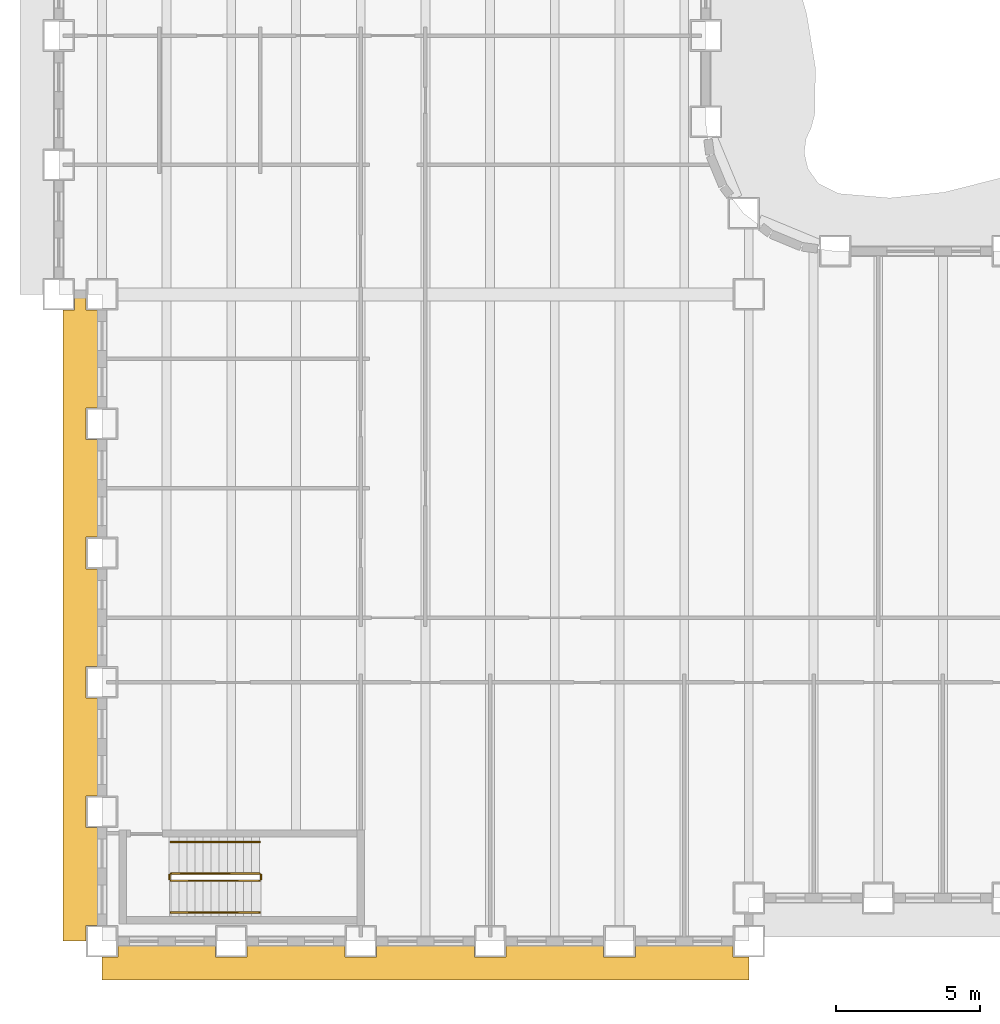
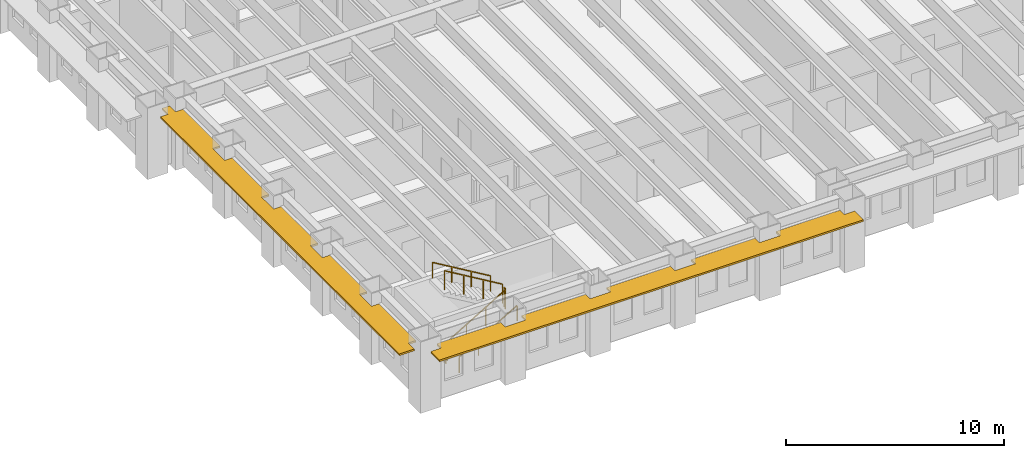
# One storey, part 10 of 15: 6 railings, 2 shading devices.
"""IFC4 building model written with IfcOpenShell, lengths in metres."""

from ifc_helpers import new_model, si_unit, direction, frame, origin, origin_2d, place, context, subcontext, project, spatial, polyline, rectangle, outline, extrude, material, layer, layer_set, type_object, element, save


model = new_model("IFC4")

# Units and contexts
model_context = context("Model", 3, precision=1e-05, world=origin(), true_north=direction((0.0, 1.0)))
body_context = subcontext(model_context, "Body", "Model", "MODEL_VIEW")
ifc_project = project(units=[si_unit("LENGTHUNIT", "METRE"), si_unit("AREAUNIT", "SQUARE_METRE"), si_unit("VOLUMEUNIT", "CUBIC_METRE"), si_unit("PLANEANGLEUNIT", "RADIAN"), si_unit("MASSUNIT", "GRAM", prefix="KILO")], contexts=[model_context])

# Site, building, storey
site_placement = place(None, origin())
site = spatial("IfcSite", under=ifc_project, at=site_placement, CompositionType="ELEMENT")
building_placement = place(site_placement, origin())
building = spatial("IfcBuilding", under=site, at=building_placement, Name="Sennacour Bend Tower", CompositionType="ELEMENT")
storey_placement = place(building_placement, frame((0.0, 0.0, 37.0)))
storey = spatial("IfcBuildingStorey", under=building, at=storey_placement, Name="L07", CompositionType="ELEMENT", Elevation=37.0)

# Railings
ifc_material_1 = material(Name="Stainless steel", Category="steel")
railing_type_1 = type_object("IfcRailingType", Name="RL-GUARD-1100", PredefinedType="GUARDRAIL", material=ifc_material_1)
railing_1_placement = place(storey_placement, frame((2.39990234375, 2.10009765625, 0.166748046875)))
element("IfcRailing", 1, at=railing_1_placement, inside=storey, type_object=railing_type_1, Name="L07 SK1 stair guard 1", PredefinedType="GUARDRAIL", context=body_context, shape_type="SweptSolid", body=[
    extrude(rectangle(XDim=0.048095703125, YDim=0.048095703125, at=origin_2d()), frame((0.0, 0.0, 1.076171875), z_axis=(0.859308565015, 0.0, 0.511457515432), x_axis=(0.0, 1.0, 0.0)), (0.0, 0.0, 1.0), 3.58447265625),
    extrude(rectangle(XDim=0.0419921875, YDim=0.0419921875, at=origin_2d()), origin(), (0.0, 0.0, 1.0), 1.052001953125),
    extrude(rectangle(XDim=0.0419921875, YDim=0.0419921875, at=origin_2d()), frame((1.026611328125, 0.0, 0.611083984375)), (0.0, 0.0, 1.0), 1.052001953125),
    extrude(rectangle(XDim=0.0419921875, YDim=0.0419921875, at=origin_2d()), frame((2.053466796875, 0.0, 1.22216796875)), (0.0, 0.0, 1.0), 1.052001953125),
    extrude(rectangle(XDim=0.0419921875, YDim=0.0419921875, at=origin_2d()), frame((3.080078125, 0.0, 1.833251953125)), (0.0, 0.0, 1.0), 1.052001953125),
])
railing_2_placement = place(storey_placement, frame((5.530029296875, 2.14990234375, 2.0)))
element("IfcRailing", 2, at=railing_2_placement, inside=storey, type_object=railing_type_1, Name="L07 SK1 stair guard 2", PredefinedType="GUARDRAIL", context=body_context, shape_type="SweptSolid", body=[
    extrude(rectangle(XDim=0.048095703125, YDim=0.048095703125, at=origin_2d()), frame((0.0, 0.0, 1.076171875), z_axis=(0.0, 1.0, 0.0), x_axis=(-1.0, 0.0, 0.0)), (0.0, 0.0, 1.0), 0.150146484375),
    extrude(rectangle(XDim=0.0419921875, YDim=0.0419921875, at=origin_2d()), origin(), (0.0, 0.0, 1.0), 1.052001953125),
    extrude(rectangle(XDim=0.0419921875, YDim=0.0419921875, at=origin_2d()), frame((0.0, 0.150146484375, 0.0)), (0.0, 0.0, 1.0), 1.052001953125),
])
railing_3_placement = place(storey_placement, frame((5.47998046875, 2.35009765625, 2.166748046875)))
element("IfcRailing", 3, at=railing_3_placement, inside=storey, type_object=railing_type_1, Name="L07 SK1 stair guard 3", PredefinedType="GUARDRAIL", context=body_context, shape_type="SweptSolid", body=[
    extrude(rectangle(XDim=0.048095703125, YDim=0.048095703125, at=origin_2d()), frame((0.0, 0.0, 1.076171875), z_axis=(-0.859308565015, 0.0, 0.511457515432), x_axis=(0.0, -1.0, 0.0)), (0.0, 0.0, 1.0), 3.58447265625),
    extrude(rectangle(XDim=0.0419921875, YDim=0.0419921875, at=origin_2d()), origin(), (0.0, 0.0, 1.0), 1.052001953125),
    extrude(rectangle(XDim=0.0419921875, YDim=0.0419921875, at=origin_2d()), frame((-1.026611328125, 0.0, 0.611083984375)), (0.0, 0.0, 1.0), 1.052001953125),
    extrude(rectangle(XDim=0.0419921875, YDim=0.0419921875, at=origin_2d()), frame((-2.053466796875, 0.0, 1.22216796875)), (0.0, 0.0, 1.0), 1.052001953125),
    extrude(rectangle(XDim=0.0419921875, YDim=0.0419921875, at=origin_2d()), frame((-3.080078125, 0.0, 1.833251953125)), (0.0, 0.0, 1.0), 1.052001953125),
])
railing_4_placement = place(storey_placement, frame((2.35009765625, 2.14990234375, 0.0)))
element("IfcRailing", 4, at=railing_4_placement, inside=storey, type_object=railing_type_1, Name="L07 SK1 stair guard 4", PredefinedType="GUARDRAIL", context=body_context, shape_type="SweptSolid", body=[
    extrude(rectangle(XDim=0.048095703125, YDim=0.048095703125, at=origin_2d()), frame((0.0, 0.0, 1.076171875), z_axis=(0.0, 1.0, 0.0), x_axis=(-1.0, 0.0, 0.0)), (0.0, 0.0, 1.0), 0.150146484375),
    extrude(rectangle(XDim=0.0419921875, YDim=0.0419921875, at=origin_2d()), origin(), (0.0, 0.0, 1.0), 1.052001953125),
    extrude(rectangle(XDim=0.0419921875, YDim=0.0419921875, at=origin_2d()), frame((0.0, 0.150146484375, 0.0)), (0.0, 0.0, 1.0), 1.052001953125),
])
railing_type_2 = type_object("IfcRailingType", Name="RL-HANDRAIL-900", PredefinedType="HANDRAIL", material=ifc_material_1)
railing_5_placement = place(storey_placement, frame((2.39990234375, 1.0, 0.166748046875)))
element("IfcRailing", 5, at=railing_5_placement, inside=storey, type_object=railing_type_2, Name="L07 SK1 stair handrail 1", PredefinedType="HANDRAIL", context=body_context, shape_type="SweptSolid", body=[
    extrude(rectangle(XDim=0.048095703125, YDim=0.048095703125, at=origin_2d()), frame((0.0, 0.0, 0.8759765625), z_axis=(0.859308565015, 0.0, 0.511457515432), x_axis=(0.0, 1.0, 0.0)), (0.0, 0.0, 1.0), 3.58447265625),
    extrude(rectangle(XDim=0.0419921875, YDim=0.0419921875, at=origin_2d()), origin(), (0.0, 0.0, 1.0), 0.851806640625),
    extrude(rectangle(XDim=0.0419921875, YDim=0.0419921875, at=origin_2d()), frame((1.026611328125, 0.0, 0.611083984375)), (0.0, 0.0, 1.0), 0.851806640625),
    extrude(rectangle(XDim=0.0419921875, YDim=0.0419921875, at=origin_2d()), frame((2.053466796875, 0.0, 1.22216796875)), (0.0, 0.0, 1.0), 0.851806640625),
    extrude(rectangle(XDim=0.0419921875, YDim=0.0419921875, at=origin_2d()), frame((3.080078125, 0.0, 1.833251953125)), (0.0, 0.0, 1.0), 0.851806640625),
])
railing_6_placement = place(storey_placement, frame((5.47998046875, 3.449951171875, 2.166748046875)))
element("IfcRailing", 6, at=railing_6_placement, inside=storey, type_object=railing_type_2, Name="L07 SK1 stair handrail 2", PredefinedType="HANDRAIL", context=body_context, shape_type="SweptSolid", body=[
    extrude(rectangle(XDim=0.048095703125, YDim=0.048095703125, at=origin_2d()), frame((0.0, 0.0, 0.8759765625), z_axis=(-0.859308565015, 0.0, 0.511457515432), x_axis=(0.0, -1.0, 0.0)), (0.0, 0.0, 1.0), 3.58447265625),
    extrude(rectangle(XDim=0.0419921875, YDim=0.0419921875, at=origin_2d()), origin(), (0.0, 0.0, 1.0), 0.851806640625),
    extrude(rectangle(XDim=0.0419921875, YDim=0.0419921875, at=origin_2d()), frame((-1.026611328125, 0.0, 0.611083984375)), (0.0, 0.0, 1.0), 0.851806640625),
    extrude(rectangle(XDim=0.0419921875, YDim=0.0419921875, at=origin_2d()), frame((-2.053466796875, 0.0, 1.22216796875)), (0.0, 0.0, 1.0), 0.851806640625),
    extrude(rectangle(XDim=0.0419921875, YDim=0.0419921875, at=origin_2d()), frame((-3.080078125, 0.0, 1.833251953125)), (0.0, 0.0, 1.0), 0.851806640625),
])

# Shading devices
ifc_material_2 = material(Name="Bronze anodised aluminium", Category="aluminium")
ifc_layer = layer(ifc_material_2, 0.10009765625, Name="Bronze anodised aluminium", Category="aluminium")
ifc_layer_set = layer_set([ifc_layer], Name="Bronze anodised aluminium")
shading_device_type = type_object("IfcShadingDeviceType", Name="SUNSHADE BAND STRAIGHT", PredefinedType="USERDEFINED", material=ifc_layer_set)
shading_device_1_placement = place(storey_placement, frame((0.0, 0.0, 3.0439453125)))
element("IfcShadingDevice", 7, at=shading_device_1_placement, inside=storey, type_object=shading_device_type, Name="Sunshade band L07 K outer face", ObjectType="SUNSHADE", PredefinedType="USERDEFINED", context=body_context, shape_type="SweptSolid", body=[
    extrude(outline(polyline([(3.949951171875, -0.14990234375), (3.949951171875, -0.550048828125), (5.050048828125, -0.550048828125), (5.050048828125, -0.14990234375), (8.449951171875, -0.14990234375), (8.449951171875, -0.550048828125), (9.550048828125, -0.550048828125), (9.550048828125, -0.14990234375), (12.949951171875, -0.14990234375), (12.949951171875, -0.550048828125), (14.050048828125, -0.550048828125), (14.050048828125, -0.14990234375), (17.449951171875, -0.14990234375), (17.449951171875, -0.550048828125), (18.550048828125, -0.550048828125), (18.550048828125, -0.14990234375), (21.949951171875, -0.14990234375), (21.949951171875, -0.550048828125), (22.5, -0.550048828125), (22.5, -1.35009765625), (0.0, -1.35009765625), (0.0, -0.550048828125), (0.550048828125, -0.550048828125), (0.550048828125, -0.14990234375), (3.949951171875, -0.14990234375)])), origin(), (0.0, 0.0, 1.0), 0.10009765625),
])
shading_device_2_placement = place(storey_placement, frame((0.0, 0.0, 3.0439453125)))
element("IfcShadingDevice", 8, at=shading_device_2_placement, inside=storey, type_object=shading_device_type, Name="Sunshade band L07 K outer face", ObjectType="SUNSHADE", PredefinedType="USERDEFINED", context=body_context, shape_type="SweptSolid", body=[
    extrude(outline(polyline([(-0.14990234375, 18.550048828125), (-0.550048828125, 18.550048828125), (-0.550048828125, 17.449951171875), (-0.14990234375, 17.449951171875), (-0.14990234375, 14.050048828125), (-0.550048828125, 14.050048828125), (-0.550048828125, 12.949951171875), (-0.14990234375, 12.949951171875), (-0.14990234375, 9.550048828125), (-0.550048828125, 9.550048828125), (-0.550048828125, 8.449951171875), (-0.14990234375, 8.449951171875), (-0.14990234375, 5.050048828125), (-0.550048828125, 5.050048828125), (-0.550048828125, 3.949951171875), (-0.14990234375, 3.949951171875), (-0.14990234375, 0.550048828125), (-0.550048828125, 0.550048828125), (-0.550048828125, 0.0), (-1.35009765625, 0.0), (-1.35009765625, 21.949951171875), (-0.949951171875, 21.949951171875), (-0.949951171875, 22.5), (-0.550048828125, 22.5), (-0.550048828125, 21.949951171875), (-0.14990234375, 21.949951171875), (-0.14990234375, 18.550048828125)])), origin(), (0.0, 0.0, 1.0), 0.10009765625),
])

save(model, "model.ifc")
